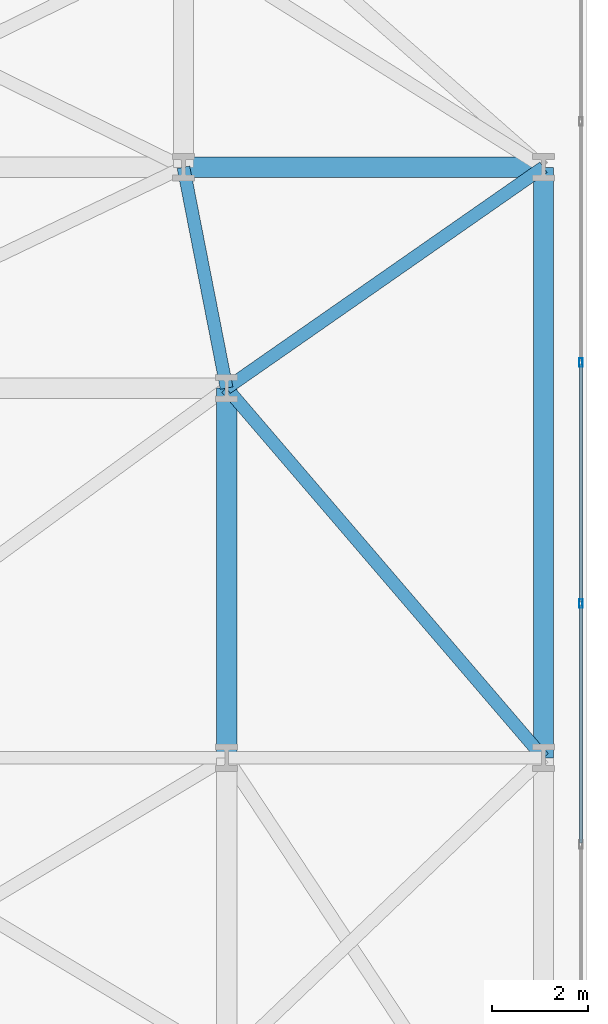
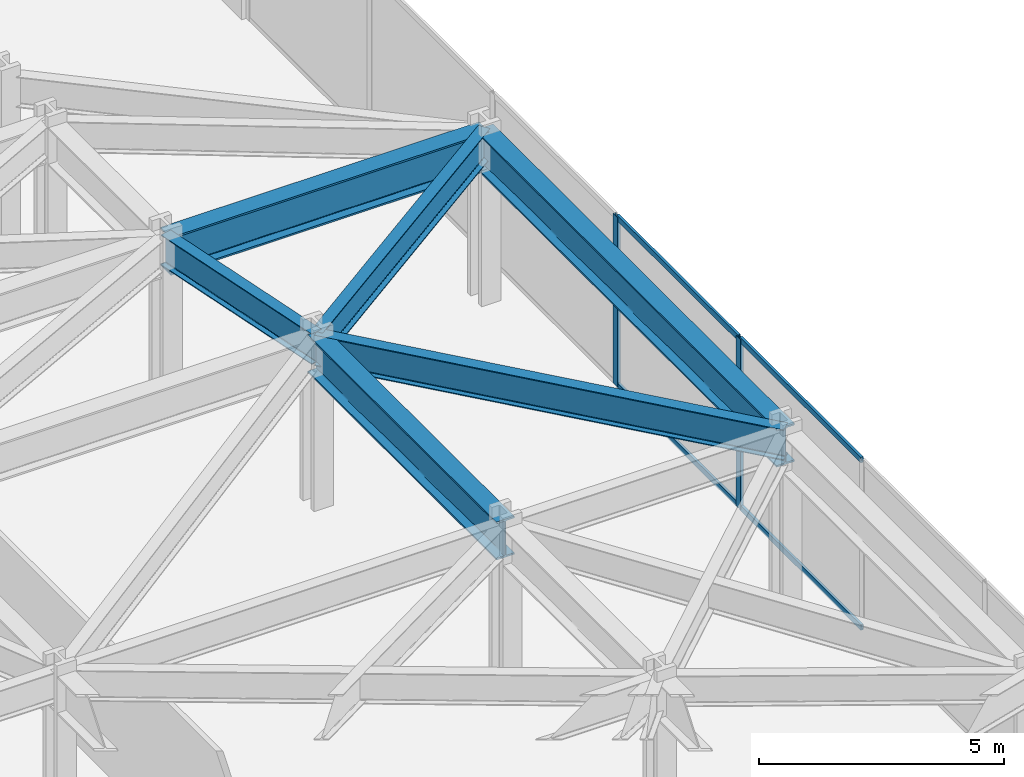
# One storey, part 22 of 28: 6 beams, 6 members, 1 element without a shape of its own.
"""IFC4 building model written with IfcOpenShell, lengths in metres."""

from ifc_helpers import new_model, si_unit, direction, frame, origin, origin_2d, place, context, subcontext, project, spatial, hollow_rectangle, i_section, extrude, material, layer, layer_set, material_profile, profile_set, type_object, element, aggregate, save


model = new_model("IFC4")

# Units and contexts
model_context = context("Model", 3, precision=1e-05, world=origin(), true_north=direction((0.0, 1.0)))
body_context = subcontext(model_context, "Body", "Model", "MODEL_VIEW")
ifc_project = project(units=[si_unit("LENGTHUNIT", "METRE"), si_unit("AREAUNIT", "SQUARE_METRE"), si_unit("VOLUMEUNIT", "CUBIC_METRE"), si_unit("PLANEANGLEUNIT", "RADIAN"), si_unit("MASSUNIT", "GRAM", prefix="KILO")], contexts=[model_context])

# Site, building, storey
site_placement = place(None, origin())
site = spatial("IfcSite", under=ifc_project, at=site_placement, CompositionType="ELEMENT")
building_placement = place(site_placement, origin())
building = spatial("IfcBuilding", under=site, at=building_placement, Name="Kravanh Interchange Tower", CompositionType="ELEMENT")
storey_placement = place(building_placement, frame((0.0, 0.0, 10.800048828125)))
storey = spatial("IfcBuildingStorey", under=building, at=storey_placement, Name="L02", CompositionType="ELEMENT", Elevation=10.800048828125)

# Curtain wall, members
ifc_material_1 = material(Name="Anodised Bronze Aluminium", Category="aluminium")
ifc_layer = layer(ifc_material_1, 0.179931640625)
ifc_layer_set = layer_set([ifc_layer], Name="Unitised Curtain Wall System CW-POD Podium Concourse")
curtain_wall_type = type_object("IfcCurtainWallType", Name="Unitised Curtain Wall System CW-POD Podium Concourse", PredefinedType="NOTDEFINED", material=ifc_layer_set)
curtain_wall_placement = place(storey_placement, origin())
curtain_wall = element("IfcCurtainWall", 1, at=curtain_wall_placement, inside=storey, type_object=curtain_wall_type, Name="L02 Unitised Curtain Wall CW-L02-02", PredefinedType="NOTDEFINED")
ifc_material_2 = material(Name="Anodised Bronze Aluminium", Category="aluminium")
ifc_material_profile_1 = material_profile(ifc_material_2, hollow_rectangle(XDim=0.070068359375, YDim=0.179931640625, WallThickness=0.00390625, at=origin_2d()), Name="ALU70X180X4")
ifc_profile_set_1 = profile_set([ifc_material_profile_1], Name="Anodised Bronze Aluminium")
member_type_1 = type_object("IfcMemberType", Name="Curtain Wall Mullion ALU70X180X4 Bronze", PredefinedType="MULLION", material=ifc_profile_set_1)
member_1_placement = place(storey_placement, frame((73.8798828125, 22.735595703125, 0.0), z_axis=(0.0, 0.0, 1.0), x_axis=(1.0, 0.0, 0.0)))
member_1 = element("IfcMember", 2, at=member_1_placement, type_object=member_type_1, Name="CW-POD mullion 4", PredefinedType="MULLION", context=body_context, shape_type="SweptSolid", body=[
    extrude(hollow_rectangle(XDim=0.070068359375, YDim=0.179931640625, WallThickness=0.00390625, at=origin_2d()), origin(), (0.0, 0.0, 1.0), 4.22998046875),
])
member_2_placement = place(storey_placement, frame((73.8798828125, 17.714111328125, 0.0), z_axis=(0.0, 0.0, 1.0), x_axis=(1.0, 0.0, 0.0)))
member_2 = element("IfcMember", 3, at=member_2_placement, type_object=member_type_1, Name="CW-POD mullion 5", PredefinedType="MULLION", context=body_context, shape_type="SweptSolid", body=[
    extrude(hollow_rectangle(XDim=0.070068359375, YDim=0.179931640625, WallThickness=0.00390625, at=origin_2d()), origin(), (0.0, 0.0, 1.0), 4.22998046875),
])
ifc_material_3 = material(Name="Anodised Bronze Aluminium", Category="aluminium")
ifc_material_profile_2 = material_profile(ifc_material_3, hollow_rectangle(XDim=0.06005859375, YDim=0.139892578125, WallThickness=0.00390625, at=origin_2d()), Name="ALU60X140X4")
ifc_profile_set_2 = profile_set([ifc_material_profile_2], Name="Anodised Bronze Aluminium")
member_type_2 = type_object("IfcMemberType", Name="Curtain Wall Transom ALU60X140X4 Bronze", PredefinedType="USERDEFINED", material=ifc_profile_set_2)
member_3_placement = place(storey_placement, frame((73.8798828125, 22.70068359375, 0.030029296875), z_axis=(0.0, -1.0, 0.0), x_axis=(1.0, 0.0, 0.0)))
member_3 = element("IfcMember", 4, at=member_3_placement, type_object=member_type_2, Name="CW-POD transom 4.1", ObjectType="TRANSOM", PredefinedType="USERDEFINED", context=body_context, shape_type="SweptSolid", body=[
    extrude(hollow_rectangle(XDim=0.06005859375, YDim=0.139892578125, WallThickness=0.00390625, at=origin_2d()), origin(), (0.0, 0.0, 1.0), 4.95166015625),
])
member_4_placement = place(storey_placement, frame((73.8798828125, 22.70068359375, 4.199951171875), z_axis=(0.0, -1.0, 0.0), x_axis=(1.0, 0.0, 0.0)))
member_4 = element("IfcMember", 5, at=member_4_placement, type_object=member_type_2, Name="CW-POD transom 4.2", ObjectType="TRANSOM", PredefinedType="USERDEFINED", context=body_context, shape_type="SweptSolid", body=[
    extrude(hollow_rectangle(XDim=0.06005859375, YDim=0.139892578125, WallThickness=0.00390625, at=origin_2d()), origin(), (0.0, 0.0, 1.0), 4.95166015625),
])
member_5_placement = place(storey_placement, frame((73.8798828125, 17.67919921875, 0.030029296875), z_axis=(0.0, -1.0, 0.0), x_axis=(1.0, 0.0, 0.0)))
member_5 = element("IfcMember", 6, at=member_5_placement, type_object=member_type_2, Name="CW-POD transom 5.1", ObjectType="TRANSOM", PredefinedType="USERDEFINED", context=body_context, shape_type="SweptSolid", body=[
    extrude(hollow_rectangle(XDim=0.06005859375, YDim=0.139892578125, WallThickness=0.00390625, at=origin_2d()), origin(), (0.0, 0.0, 1.0), 4.95166015625),
])
member_6_placement = place(storey_placement, frame((73.8798828125, 17.67919921875, 4.199951171875), z_axis=(0.0, -1.0, 0.0), x_axis=(1.0, 0.0, 0.0)))
member_6 = element("IfcMember", 7, at=member_6_placement, type_object=member_type_2, Name="CW-POD transom 5.2", ObjectType="TRANSOM", PredefinedType="USERDEFINED", context=body_context, shape_type="SweptSolid", body=[
    extrude(hollow_rectangle(XDim=0.06005859375, YDim=0.139892578125, WallThickness=0.00390625, at=origin_2d()), origin(), (0.0, 0.0, 1.0), 4.95166015625),
])
aggregate(curtain_wall, [member_1, member_2, member_3, member_4, member_5, member_6])

# Beams
ifc_material_4 = material(Name="Structural Steel S450", Category="steel")
ifc_material_profile_3 = material_profile(ifc_material_4, i_section(OverallWidth=0.423095703125, OverallDepth=0.947998046875, WebThickness=0.02392578125, FlangeThickness=0.042724609375, FilletRadius=0.028076171875, at=origin_2d()), Name="W36X302")
ifc_profile_set_3 = profile_set([ifc_material_profile_3], Name="Structural Steel S450")
beam_type_1 = type_object("IfcBeamType", Name="Floor Beam W36X302 Structural Steel S450", PredefinedType="BEAM", material=ifc_profile_set_3)
beam_1_placement = place(storey_placement, frame((66.5, 14.5, 3.755859375), z_axis=(0.0, 1.0, 0.0), x_axis=(-1.0, 0.0, 0.0)))
element("IfcBeam", 8, at=beam_1_placement, inside=storey, type_object=beam_type_1, Name="L02 Primary Floor Girder 54", PredefinedType="BEAM", context=body_context, shape_type="SweptSolid", body=[
    extrude(i_section(OverallWidth=0.423095703125, OverallDepth=0.947998046875, WebThickness=0.02392578125, FlangeThickness=0.042724609375, FilletRadius=0.028076171875, at=origin_2d()), origin(), (0.0, 0.0, 1.0), 7.699951171875),
])
beam_2_placement = place(storey_placement, frame((65.60009765625, 26.800048828125, 3.755859375), z_axis=(1.0, 0.0, 0.0), x_axis=(0.0, 1.0, 0.0)))
element("IfcBeam", 9, at=beam_2_placement, inside=storey, type_object=beam_type_1, Name="L02 Primary Floor Girder 102", PredefinedType="BEAM", context=body_context, shape_type="SweptSolid", body=[
    extrude(i_section(OverallWidth=0.423095703125, OverallDepth=0.947998046875, WebThickness=0.02392578125, FlangeThickness=0.042724609375, FilletRadius=0.028076171875, at=origin_2d()), origin(), (0.0, 0.0, 1.0), 7.5),
])
beam_3_placement = place(storey_placement, frame((73.10009765625, 14.5, 3.755859375), z_axis=(0.0, 1.0, 0.0), x_axis=(-1.0, 0.0, 0.0)))
element("IfcBeam", 10, at=beam_3_placement, inside=storey, type_object=beam_type_1, Name="L02 Primary Floor Girder 128", PredefinedType="BEAM", context=body_context, shape_type="SweptSolid", body=[
    extrude(i_section(OverallWidth=0.423095703125, OverallDepth=0.947998046875, WebThickness=0.02392578125, FlangeThickness=0.042724609375, FilletRadius=0.028076171875, at=origin_2d()), origin(), (0.0, 0.0, 1.0), 12.300048828125),
])
ifc_material_5 = material(Name="Structural Steel S355", Category="steel")
ifc_material_profile_4 = material_profile(ifc_material_5, i_section(OverallWidth=0.26708984375, OverallDepth=0.761962890625, WebThickness=0.014404296875, FlangeThickness=0.021484375, FilletRadius=0.02490234375, at=origin_2d()), Name="W30X116")
ifc_profile_set_4 = profile_set([ifc_material_profile_4], Name="Structural Steel S355")
beam_type_2 = type_object("IfcBeamType", Name="Floor Spandrel W30X116 Structural Steel S355", PredefinedType="SPANDREL", material=ifc_profile_set_4)
beam_4_placement = place(storey_placement, frame((66.5, 22.199951171875, 3.848876953125), z_axis=(-0.191987614224, 0.981397348674, 0.0), x_axis=(-0.981397348674, -0.191987614224, 0.0)))
element("IfcBeam", 11, at=beam_4_placement, inside=storey, type_object=beam_type_2, Name="L02 Perimeter Spandrel 69", PredefinedType="SPANDREL", context=body_context, shape_type="SweptSolid", body=[
    extrude(i_section(OverallWidth=0.26708984375, OverallDepth=0.761962890625, WebThickness=0.014404296875, FlangeThickness=0.021484375, FilletRadius=0.02490234375, at=origin_2d()), origin(), (0.0, 0.0, 1.0), 4.687255859375),
])
beam_5_placement = place(storey_placement, frame((66.5, 22.199951171875, 3.848876953125), z_axis=(0.820396441235, 0.571795137447, 0.0), x_axis=(-0.571795137447, 0.820396441235, 0.0)))
element("IfcBeam", 12, at=beam_5_placement, inside=storey, type_object=beam_type_2, Name="L02 Perimeter Spandrel 70", PredefinedType="SPANDREL", context=body_context, shape_type="SweptSolid", body=[
    extrude(i_section(OverallWidth=0.26708984375, OverallDepth=0.761962890625, WebThickness=0.014404296875, FlangeThickness=0.021484375, FilletRadius=0.02490234375, at=origin_2d()), origin(), (0.0, 0.0, 1.0), 8.044921875),
])
beam_6_placement = place(storey_placement, frame((66.5, 22.199951171875, 3.848876953125), z_axis=(0.65079930347, -0.759249805139, 0.0), x_axis=(0.759249805139, 0.65079930347, 0.0)))
element("IfcBeam", 13, at=beam_6_placement, inside=storey, type_object=beam_type_2, Name="L02 Perimeter Spandrel 72", PredefinedType="SPANDREL", context=body_context, shape_type="SweptSolid", body=[
    extrude(i_section(OverallWidth=0.26708984375, OverallDepth=0.761962890625, WebThickness=0.014404296875, FlangeThickness=0.021484375, FilletRadius=0.02490234375, at=origin_2d()), origin(), (0.0, 0.0, 1.0), 10.1416015625),
])

save(model, "model.ifc")
